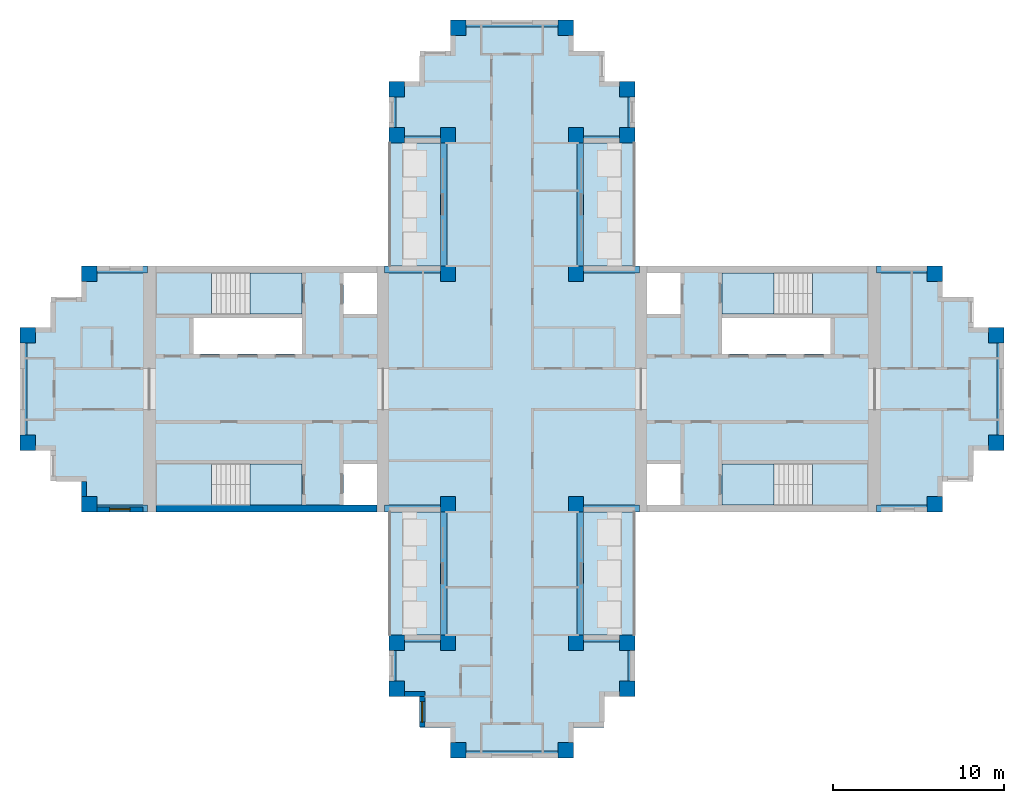
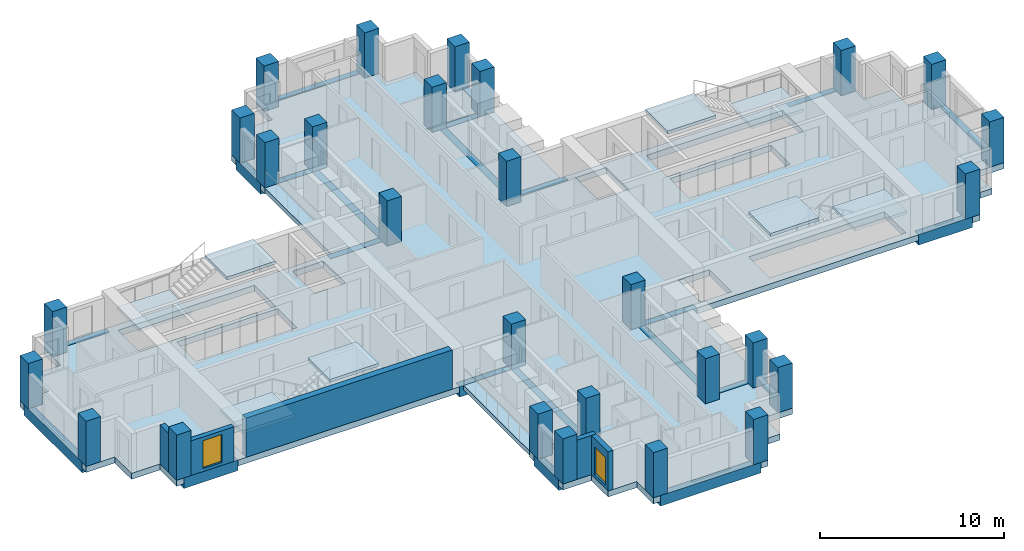
# One storey, part 1 of 9: 28 columns, 24 beams, 13 slabs, 5 walls, 2 windows, 2 openings, 4 elements without a shape of their own.
"""IFC4 building model written with IfcOpenShell, lengths in metres."""

import ifcopenshell
import ifcopenshell.guid

model = None  # the IFC model being written
_history = None  # IfcOwnerHistory: only IFC2X3 demands one
_inside = {}  # id of a spatial element -> (the spatial element, [elements in it])
_under = {}  # id of a project, library or spatial element -> (it, [spatial elements below it])
_declared = {}  # id of a project -> (the project, [libraries it declares])
_typed = {}  # id of a type object -> (the type object, [elements of that type])
_made_of = {}  # id of a material, layer set ... -> (it, [elements and type objects made of it])


def new_model(schema):
    """Start an empty IFC model of exactly this schema.

    Asked for "IFC4X3", IfcOpenShell would pick the latest addendum, in which some entities
    have other attributes; the version numbers below select the first issue.
    IFC2X3 requires an IfcOwnerHistory on every rooted entity: one is made here for all.
    """
    global model, _history
    if schema == "IFC4X3":
        model = ifcopenshell.file(schema_version=(4, 3, 0, 0))
    else:
        model = ifcopenshell.file(schema=schema)
    _inside.clear()
    _under.clear()
    _declared.clear()
    _typed.clear()
    _made_of.clear()
    _history = None
    if model.schema == "IFC2X3":
        org = make("IfcOrganization", Name="unknown")
        user = make(
            "IfcPersonAndOrganization",
            ThePerson=make("IfcPerson", FamilyName="unknown"),
            TheOrganization=org,
        )
        app = make(
            "IfcApplication",
            ApplicationDeveloper=org,
            Version="unknown",
            ApplicationFullName="unknown",
            ApplicationIdentifier="unknown",
        )
        _history = make(
            "IfcOwnerHistory",
            OwningUser=user,
            OwningApplication=app,
            ChangeAction="ADDED",
            CreationDate=0,
        )
    return model


def make(cls, **values):
    """One entity of the class cls with the attributes given. An attribute that is None is left unset."""
    return model.create_entity(
        cls, **{name: value for name, value in values.items() if value is not None}
    )


def rooted(cls, **values):
    """An entity with a GlobalId (a new one), such as an element, a storey or a relation."""
    return make(cls, GlobalId=ifcopenshell.guid.new(), OwnerHistory=_history, **values)


def si_unit(unit_type, name, prefix=None):
    """IfcSIUnit, for example si_unit("LENGTHUNIT", "METRE", prefix="MILLI")."""
    return make("IfcSIUnit", UnitType=unit_type, Prefix=prefix, Name=name)


def assignment(units):
    """IfcUnitAssignment: the units of a project."""
    return None if units is None else make("IfcUnitAssignment", Units=units)


def point(xyz):
    """IfcCartesianPoint."""
    return None if xyz is None else make("IfcCartesianPoint", Coordinates=xyz)


def direction(xyz):
    """IfcDirection."""
    return None if xyz is None else make("IfcDirection", DirectionRatios=xyz)


def frame(location, z_axis=None, x_axis=None):
    """IfcAxis2Placement3D, a coordinate frame: its origin and axes. An axis left out is left unset."""
    return make(
        "IfcAxis2Placement3D",
        Location=point(location),
        Axis=direction(z_axis),
        RefDirection=direction(x_axis),
    )


def frame_2d(location, x_axis=None):
    """IfcAxis2Placement2D, a coordinate frame in the plane: its origin and x axis."""
    return make(
        "IfcAxis2Placement2D", Location=point(location), RefDirection=direction(x_axis)
    )


def origin():
    """The frame at (0, 0, 0) with its axes left unset."""
    return frame((0.0, 0.0, 0.0))


def origin_2d():
    """The frame at (0, 0) in the plane with its x axis left unset."""
    return frame_2d((0.0, 0.0))


def place(relative_to, where):
    """IfcLocalPlacement: puts the frame where relative to a parent placement (None: the world)."""
    return make(
        "IfcLocalPlacement", PlacementRelTo=relative_to, RelativePlacement=where
    )


def context(
    kind, dimensions, precision=None, world=None, true_north=None, identifier=None
):
    """IfcGeometricRepresentationContext, for example the 3D "Model" context."""
    return make(
        "IfcGeometricRepresentationContext",
        ContextIdentifier=identifier,
        ContextType=kind,
        CoordinateSpaceDimension=dimensions,
        Precision=precision,
        WorldCoordinateSystem=world,
        TrueNorth=true_north,
    )


def subcontext(parent, identifier, kind, view, scale=None):
    """IfcGeometricRepresentationSubContext, for example "Body" below "Model"."""
    return make(
        "IfcGeometricRepresentationSubContext",
        ContextIdentifier=identifier,
        ContextType=kind,
        ParentContext=parent,
        TargetScale=scale,
        TargetView=view,
    )


def project(units=None, contexts=None):
    """IfcProject with its units and contexts."""
    return rooted(
        "IfcProject",
        Name="project",
        RepresentationContexts=contexts,
        UnitsInContext=assignment(units),
    )


def spatial(cls, under=None, at=None, **own):
    """A site, building, storey or space (cls), placed at a placement, below another one or the project."""
    s = rooted(cls, ObjectPlacement=at, **own)
    if under is not None:
        _under.setdefault(under.id(), (under, []))[1].append(s)
    return s


def polyline(points):
    """IfcPolyline through the points."""
    return make("IfcPolyline", Points=[point(p) for p in points])


def profile(cls, at=None, kind="AREA", **sizes):
    """A parametric profile (cls). Its sizes go by their IFC names, for example OverallWidth=200.0."""
    return make(cls, ProfileType=kind, Position=at, **sizes)


def rectangle(**sizes):
    """IfcRectangleProfileDef."""
    return profile("IfcRectangleProfileDef", **sizes)


def outline(outer, holes=None, kind="AREA"):
    """IfcArbitraryClosedProfileDef: a profile drawn as a closed curve; with holes, ...WithVoids."""
    if holes is None:
        return make("IfcArbitraryClosedProfileDef", ProfileType=kind, OuterCurve=outer)
    return make(
        "IfcArbitraryProfileDefWithVoids",
        ProfileType=kind,
        OuterCurve=outer,
        InnerCurves=holes,
    )


def extrude(swept, where, along, depth):
    """IfcExtrudedAreaSolid: the profile swept, set in the frame where, extruded along a direction by depth."""
    return make(
        "IfcExtrudedAreaSolid",
        SweptArea=swept,
        Position=where,
        ExtrudedDirection=direction(along),
        Depth=depth,
    )


def shape(context_of_items, identifier, shape_type, items):
    """IfcShapeRepresentation: the items that make up one representation, for example the "Body"."""
    return make(
        "IfcShapeRepresentation",
        ContextOfItems=context_of_items,
        RepresentationIdentifier=identifier,
        RepresentationType=shape_type,
        Items=items,
    )


def material(Name=None, Category=None):
    """IfcMaterial."""
    return make("IfcMaterial", Name=Name, Category=Category)


def layer(
    of_material, thickness, ventilated=None, Name=None, Category=None, Priority=None
):
    """IfcMaterialLayer: one layer of a wall or slab, of a material (None: an air gap)."""
    return make(
        "IfcMaterialLayer",
        Material=of_material,
        LayerThickness=thickness,
        IsVentilated=ventilated,
        Name=Name,
        Category=Category,
        Priority=Priority,
    )


def layer_set(layers, Name=None):
    """IfcMaterialLayerSet."""
    return make("IfcMaterialLayerSet", MaterialLayers=layers, LayerSetName=Name)


def material_profile(
    of_material, cross_section, Name=None, Category=None, Priority=None
):
    """IfcMaterialProfile: a cross section and its material."""
    return make(
        "IfcMaterialProfile",
        Name=Name,
        Material=of_material,
        Profile=cross_section,
        Priority=Priority,
        Category=Category,
    )


def profile_set(profiles, Name=None, composite=None):
    """IfcMaterialProfileSet."""
    return make(
        "IfcMaterialProfileSet",
        Name=Name,
        MaterialProfiles=profiles,
        CompositeProfile=composite,
    )


def made_of(thing, what):
    """Note that an element or type object is made of a material, layer set ...; save() writes the relation."""
    if what is not None:
        _made_of.setdefault(what.id(), (what, []))[1].append(thing)
    return thing


def type_object(cls, material=None, **own):
    """A type object (cls), such as IfcWallType, which elements share."""
    return made_of(rooted(cls, **own), material)


def element(
    cls,
    number,
    at=None,
    inside=None,
    cuts=None,
    type_object=None,
    material=None,
    context=None,
    identifier="Body",
    shape_type=None,
    held_by="IfcProductDefinitionShape",
    body=None,
    shapes=None,
    **own,
):
    """One element of the class cls, such as IfcWall. Its Tag is "e" and its number.

    at: its placement. inside: the storey or other place that contains it. cuts: it is an
    opening in that element (IfcRelVoidsElement). A single representation is given by context,
    identifier, shape_type and body (its items); several are given by shapes. held_by: the class
    of the entity that holds the representations. save() writes the other relations.
    """
    e = rooted(cls, Tag="e%d" % number, ObjectPlacement=at, **own)
    if body is not None:
        shapes = [shape(context, identifier, shape_type, body)]
    if shapes is not None:
        e.Representation = make(held_by, Representations=shapes)
    if inside is not None:
        _inside.setdefault(inside.id(), (inside, []))[1].append(e)
    if cuts is not None:
        rooted(
            "IfcRelVoidsElement", RelatingBuildingElement=cuts, RelatedOpeningElement=e
        )
    if type_object is not None:
        _typed.setdefault(type_object.id(), (type_object, []))[1].append(e)
    return made_of(e, material)


def fill(opening, filler):
    """IfcRelFillsElement: the door or window that sits in an opening."""
    return rooted(
        "IfcRelFillsElement",
        RelatingOpeningElement=opening,
        RelatedBuildingElement=filler,
    )


def aggregate(whole, parts):
    """IfcRelAggregates: a whole, such as a stair, and the parts it consists of."""
    return rooted("IfcRelAggregates", RelatingObject=whole, RelatedObjects=parts)


def save(model, path):
    """Write the relations noted so far, then the file.

    IfcRelAggregates (storeys below a building ...), IfcRelContainedInSpatialStructure (elements
    in a storey), IfcRelDefinesByType, IfcRelAssociatesMaterial and IfcRelDeclares: one each for
    every whole, place, type object, material and project.
    """
    for whole, parts in _under.values():
        aggregate(whole, parts)
    for where, things in _inside.values():
        rooted(
            "IfcRelContainedInSpatialStructure",
            RelatedElements=things,
            RelatingStructure=where,
        )
    for kind, things in _typed.values():
        rooted("IfcRelDefinesByType", RelatedObjects=things, RelatingType=kind)
    for what, things in _made_of.values():
        rooted("IfcRelAssociatesMaterial", RelatedObjects=things, RelatingMaterial=what)
    for by, libraries in _declared.values():
        rooted("IfcRelDeclares", RelatingContext=by, RelatedDefinitions=libraries)
    model.write(path)


model = new_model("IFC4")

# Units and contexts
model_context = context("Model", 3, precision=1e-05, world=origin(), true_north=direction((0.0, 1.0)))
body_context = subcontext(model_context, "Body", "Model", "MODEL_VIEW")
ifc_project = project(units=[si_unit("LENGTHUNIT", "METRE"), si_unit("AREAUNIT", "SQUARE_METRE"), si_unit("VOLUMEUNIT", "CUBIC_METRE"), si_unit("PLANEANGLEUNIT", "RADIAN"), si_unit("MASSUNIT", "GRAM", prefix="KILO")], contexts=[model_context])

# Site, building, storey
site_placement = place(None, origin())
site = spatial("IfcSite", under=ifc_project, at=site_placement, CompositionType="ELEMENT")
building_placement = place(site_placement, origin())
building = spatial("IfcBuilding", under=site, at=building_placement, Name="Fustian Cross Tower", CompositionType="ELEMENT")
storey_placement = place(building_placement, frame((0.0, 0.0, 219.89990234375)))
storey = spatial("IfcBuildingStorey", under=building, at=storey_placement, Name="L69", CompositionType="ELEMENT", Elevation=219.89990234375)

# Columns
ifc_material_1 = material(Name="Concrete C40/50", Category="concrete")
ifc_material_profile_1 = material_profile(ifc_material_1, rectangle(XDim=0.89990234375, YDim=0.89990234375, at=origin_2d()), Name="RC 900x900")
ifc_profile_set_1 = profile_set([ifc_material_profile_1], Name="Concrete C40/50")
column_type = type_object("IfcColumnType", Name="COLUMN RC 900x900 C40/50", PredefinedType="COLUMN", material=ifc_profile_set_1)
for number, where, z_axis, x_axis, name in (
    (1, (-28.35009765625, -3.14990234375, 0.0), (0.0, 0.0, 1.0), (1.0, 0.0, 0.0), "COLUMN 008"),
    (2, (-28.35009765625, 3.14990234375, 0.0), (0.0, 0.0, 1.0), (1.0, 0.0, 0.0), "COLUMN 009"),
    (3, (-24.75, -6.75, 0.0), (0.0, 0.0, 1.0), (1.0, 0.0, 0.0), "COLUMN 011"),
    (4, (-24.75, 6.75, 0.0), (0.0, 0.0, 1.0), (1.0, 0.0, 0.0), "COLUMN 012"),
    (5, (-6.75, -17.550048828125, 0.0), (0.0, 0.0, 1.0), (1.0, 0.0, 0.0), "COLUMN 017"),
    (6, (-6.75, -14.85009765625, 0.0), (0.0, 0.0, 1.0), (1.0, 0.0, 0.0), "COLUMN 018"),
    (7, (-6.75, 14.85009765625, 0.0), (0.0, 0.0, 1.0), (1.0, 0.0, 0.0), "COLUMN 019"),
    (8, (-6.75, 17.550048828125, 0.0), (0.0, 0.0, 1.0), (1.0, 0.0, 0.0), "COLUMN 020"),
    (9, (-3.75, -14.85009765625, 0.0), (0.0, 0.0, 1.0), (1.0, 0.0, 0.0), "COLUMN 025"),
    (10, (-3.75, -6.75, 0.0), (0.0, 0.0, 1.0), (1.0, 0.0, 0.0), "COLUMN 026"),
    (11, (-3.75, 6.75, 0.0), (0.0, 0.0, 1.0), (1.0, 0.0, 0.0), "COLUMN 027"),
    (12, (-3.75, 14.85009765625, 0.0), (0.0, 0.0, 1.0), (1.0, 0.0, 0.0), "COLUMN 028"),
    (13, (-3.14990234375, -21.14990234375, 0.0), (0.0, 0.0, 1.0), (1.0, 0.0, 0.0), "COLUMN 030"),
    (14, (-3.14990234375, 21.14990234375, 0.0), (0.0, 0.0, 1.0), (1.0, 0.0, 0.0), "COLUMN 031"),
    (15, (3.14990234375, -21.14990234375, 0.0), (0.0, 0.0, 1.0), (1.0, 0.0, 0.0), "COLUMN 034"),
    (16, (3.14990234375, 21.14990234375, 0.0), (0.0, 0.0, 1.0), (1.0, 0.0, 0.0), "COLUMN 035"),
    (17, (3.75, -14.85009765625, 0.0), (0.0, 0.0, 1.0), (1.0, 0.0, 0.0), "COLUMN 037"),
    (18, (3.75, -6.75, 0.0), (0.0, 0.0, 1.0), (1.0, 0.0, 0.0), "COLUMN 038"),
    (19, (3.75, 6.75, 0.0), (0.0, 0.0, 1.0), (1.0, 0.0, 0.0), "COLUMN 039"),
    (20, (3.75, 14.85009765625, 0.0), (0.0, 0.0, 1.0), (1.0, 0.0, 0.0), "COLUMN 040"),
    (21, (6.75, -17.550048828125, 0.0), (0.0, 0.0, 1.0), (1.0, 0.0, 0.0), "COLUMN 045"),
    (22, (6.75, -14.85009765625, 0.0), (0.0, 0.0, 1.0), (1.0, 0.0, 0.0), "COLUMN 046"),
    (23, (6.75, 14.85009765625, 0.0), (0.0, 0.0, 1.0), (1.0, 0.0, 0.0), "COLUMN 047"),
    (24, (6.75, 17.550048828125, 0.0), (0.0, 0.0, 1.0), (1.0, 0.0, 0.0), "COLUMN 048"),
    (25, (24.75, -6.75, 0.0), (0.0, 0.0, 1.0), (1.0, 0.0, 0.0), "COLUMN 053"),
    (26, (24.75, 6.75, 0.0), (0.0, 0.0, 1.0), (1.0, 0.0, 0.0), "COLUMN 054"),
    (27, (28.35009765625, -3.14990234375, 0.0), (0.0, 0.0, 1.0), (1.0, 0.0, 0.0), "COLUMN 056"),
    (28, (28.35009765625, 3.14990234375, 0.0), (0.0, 0.0, 1.0), (1.0, 0.0, 0.0), "COLUMN 057"),
):
    element("IfcColumn", number, at=place(storey_placement, frame(where, z_axis=z_axis, x_axis=x_axis)), inside=storey, type_object=column_type, Name=name, PredefinedType="COLUMN", context=body_context, shape_type="SweptSolid", body=[
        extrude(rectangle(XDim=0.89990234375, YDim=0.89990234375, at=origin_2d()), origin(), (0.0, 0.0, 1.0), 3.0),
    ])

# Beams
ifc_material_2 = material(Name="Concrete C50/60", Category="concrete")
ifc_material_profile_2 = material_profile(ifc_material_2, rectangle(XDim=0.39990234375, YDim=0.699951171875, at=origin_2d()), Name="RC 400x700")
ifc_profile_set_2 = profile_set([ifc_material_profile_2], Name="Concrete C50/60")
beam_type = type_object("IfcBeamType", Name="EDGE BEAM RC 400x700 C50/60", PredefinedType="SPANDREL", material=ifc_profile_set_2)
beam_1_placement = place(storey_placement, frame((21.35009765625, -7.0, -0.349853515625), z_axis=(1.0, 0.0, 0.0), x_axis=(0.0, 1.0, 0.0)))
element("IfcBeam", 29, at=beam_1_placement, inside=storey, type_object=beam_type, Name="EDGE BEAM L69-01", PredefinedType="SPANDREL", context=body_context, shape_type="SweptSolid", body=[
    extrude(rectangle(XDim=0.39990234375, YDim=0.699951171875, at=origin_2d()), origin(), (0.0, 0.0, 1.0), 3.39990234375),
])
beam_2_placement = place(storey_placement, frame((28.60009765625, -3.14990234375, -0.349853515625), z_axis=(0.0, 1.0, 0.0), x_axis=(-1.0, 0.0, 0.0)))
element("IfcBeam", 30, at=beam_2_placement, inside=storey, type_object=beam_type, Name="EDGE BEAM L69-02", PredefinedType="SPANDREL", context=body_context, shape_type="SweptSolid", body=[
    extrude(rectangle(XDim=0.39990234375, YDim=0.699951171875, at=origin_2d()), origin(), (0.0, 0.0, 1.0), 6.2998046875),
])
beam_3_placement = place(storey_placement, frame((24.75, 7.0, -0.349853515625), z_axis=(-1.0, 0.0, 0.0), x_axis=(0.0, -1.0, 0.0)))
element("IfcBeam", 31, at=beam_3_placement, inside=storey, type_object=beam_type, Name="EDGE BEAM L69-03", PredefinedType="SPANDREL", context=body_context, shape_type="SweptSolid", body=[
    extrude(rectangle(XDim=0.39990234375, YDim=0.699951171875, at=origin_2d()), origin(), (0.0, 0.0, 1.0), 3.39990234375),
])
beam_4_placement = place(storey_placement, frame((7.449951171875, 7.0, -0.349853515625), z_axis=(-1.0, 0.0, 0.0), x_axis=(0.0, -1.0, 0.0)))
element("IfcBeam", 32, at=beam_4_placement, inside=storey, type_object=beam_type, Name="EDGE BEAM L69-04", PredefinedType="SPANDREL", context=body_context, shape_type="SweptSolid", body=[
    extrude(rectangle(XDim=0.39990234375, YDim=0.699951171875, at=origin_2d()), origin(), (0.0, 0.0, 1.0), 3.699951171875),
])
beam_5_placement = place(storey_placement, frame((4.0, 6.75, -0.349853515625), z_axis=(0.0, 1.0, 0.0), x_axis=(-1.0, 0.0, 0.0)))
element("IfcBeam", 33, at=beam_5_placement, inside=storey, type_object=beam_type, Name="EDGE BEAM L69-05", PredefinedType="SPANDREL", context=body_context, shape_type="SweptSolid", body=[
    extrude(rectangle(XDim=0.39990234375, YDim=0.699951171875, at=origin_2d()), origin(), (0.0, 0.0, 1.0), 8.10009765625),
])
beam_6_placement = place(storey_placement, frame((3.75, 14.60009765625, -0.349853515625), z_axis=(1.0, 0.0, 0.0), x_axis=(0.0, 1.0, 0.0)))
element("IfcBeam", 34, at=beam_6_placement, inside=storey, type_object=beam_type, Name="EDGE BEAM L69-06", PredefinedType="SPANDREL", context=body_context, shape_type="SweptSolid", body=[
    extrude(rectangle(XDim=0.39990234375, YDim=0.699951171875, at=origin_2d()), origin(), (0.0, 0.0, 1.0), 3.0),
])
beam_7_placement = place(storey_placement, frame((7.0, 14.85009765625, -0.349853515625), z_axis=(0.0, 1.0, 0.0), x_axis=(-1.0, 0.0, 0.0)))
element("IfcBeam", 35, at=beam_7_placement, inside=storey, type_object=beam_type, Name="EDGE BEAM L69-07", PredefinedType="SPANDREL", context=body_context, shape_type="SweptSolid", body=[
    extrude(rectangle(XDim=0.39990234375, YDim=0.699951171875, at=origin_2d()), origin(), (0.0, 0.0, 1.0), 2.699951171875),
])
beam_8_placement = place(storey_placement, frame((3.14990234375, 21.39990234375, -0.349853515625), z_axis=(-1.0, 0.0, 0.0), x_axis=(0.0, -1.0, 0.0)))
element("IfcBeam", 36, at=beam_8_placement, inside=storey, type_object=beam_type, Name="EDGE BEAM L69-08", PredefinedType="SPANDREL", context=body_context, shape_type="SweptSolid", body=[
    extrude(rectangle(XDim=0.39990234375, YDim=0.699951171875, at=origin_2d()), origin(), (0.0, 0.0, 1.0), 6.2998046875),
])
beam_9_placement = place(storey_placement, frame((-7.0, 17.550048828125, -0.349853515625), z_axis=(0.0, -1.0, 0.0), x_axis=(1.0, 0.0, 0.0)))
element("IfcBeam", 37, at=beam_9_placement, inside=storey, type_object=beam_type, Name="EDGE BEAM L69-09", PredefinedType="SPANDREL", context=body_context, shape_type="SweptSolid", body=[
    extrude(rectangle(XDim=0.39990234375, YDim=0.699951171875, at=origin_2d()), origin(), (0.0, 0.0, 1.0), 2.699951171875),
])
beam_10_placement = place(storey_placement, frame((-6.75, 14.60009765625, -0.349853515625), z_axis=(1.0, 0.0, 0.0), x_axis=(0.0, 1.0, 0.0)))
element("IfcBeam", 38, at=beam_10_placement, inside=storey, type_object=beam_type, Name="EDGE BEAM L69-10", PredefinedType="SPANDREL", context=body_context, shape_type="SweptSolid", body=[
    extrude(rectangle(XDim=0.39990234375, YDim=0.699951171875, at=origin_2d()), origin(), (0.0, 0.0, 1.0), 3.0),
])
beam_11_placement = place(storey_placement, frame((-4.0, 14.85009765625, -0.349853515625), z_axis=(0.0, -1.0, 0.0), x_axis=(1.0, 0.0, 0.0)))
element("IfcBeam", 39, at=beam_11_placement, inside=storey, type_object=beam_type, Name="EDGE BEAM L69-11", PredefinedType="SPANDREL", context=body_context, shape_type="SweptSolid", body=[
    extrude(rectangle(XDim=0.39990234375, YDim=0.699951171875, at=origin_2d()), origin(), (0.0, 0.0, 1.0), 8.10009765625),
])
beam_12_placement = place(storey_placement, frame((-3.75, 7.0, -0.349853515625), z_axis=(-1.0, 0.0, 0.0), x_axis=(0.0, -1.0, 0.0)))
element("IfcBeam", 40, at=beam_12_placement, inside=storey, type_object=beam_type, Name="EDGE BEAM L69-12", PredefinedType="SPANDREL", context=body_context, shape_type="SweptSolid", body=[
    extrude(rectangle(XDim=0.39990234375, YDim=0.699951171875, at=origin_2d()), origin(), (0.0, 0.0, 1.0), 3.699951171875),
])
beam_13_placement = place(storey_placement, frame((-21.35009765625, 7.0, -0.349853515625), z_axis=(-1.0, 0.0, 0.0), x_axis=(0.0, -1.0, 0.0)))
element("IfcBeam", 41, at=beam_13_placement, inside=storey, type_object=beam_type, Name="EDGE BEAM L69-13", PredefinedType="SPANDREL", context=body_context, shape_type="SweptSolid", body=[
    extrude(rectangle(XDim=0.39990234375, YDim=0.699951171875, at=origin_2d()), origin(), (0.0, 0.0, 1.0), 3.39990234375),
])
beam_14_placement = place(storey_placement, frame((-28.60009765625, 3.14990234375, -0.349853515625), z_axis=(0.0, -1.0, 0.0), x_axis=(1.0, 0.0, 0.0)))
element("IfcBeam", 42, at=beam_14_placement, inside=storey, type_object=beam_type, Name="EDGE BEAM L69-14", PredefinedType="SPANDREL", context=body_context, shape_type="SweptSolid", body=[
    extrude(rectangle(XDim=0.39990234375, YDim=0.699951171875, at=origin_2d()), origin(), (0.0, 0.0, 1.0), 6.2998046875),
])
beam_15_placement = place(storey_placement, frame((-24.75, -7.0, -0.349853515625), z_axis=(1.0, 0.0, 0.0), x_axis=(0.0, 1.0, 0.0)))
element("IfcBeam", 43, at=beam_15_placement, inside=storey, type_object=beam_type, Name="EDGE BEAM L69-15", PredefinedType="SPANDREL", context=body_context, shape_type="SweptSolid", body=[
    extrude(rectangle(XDim=0.39990234375, YDim=0.699951171875, at=origin_2d()), origin(), (0.0, 0.0, 1.0), 3.39990234375),
])
beam_16_placement = place(storey_placement, frame((-7.449951171875, -7.0, -0.349853515625), z_axis=(1.0, 0.0, 0.0), x_axis=(0.0, 1.0, 0.0)))
element("IfcBeam", 44, at=beam_16_placement, inside=storey, type_object=beam_type, Name="EDGE BEAM L69-16", PredefinedType="SPANDREL", context=body_context, shape_type="SweptSolid", body=[
    extrude(rectangle(XDim=0.39990234375, YDim=0.699951171875, at=origin_2d()), origin(), (0.0, 0.0, 1.0), 3.699951171875),
])
beam_17_placement = place(storey_placement, frame((-4.0, -6.75, -0.349853515625), z_axis=(0.0, -1.0, 0.0), x_axis=(1.0, 0.0, 0.0)))
element("IfcBeam", 45, at=beam_17_placement, inside=storey, type_object=beam_type, Name="EDGE BEAM L69-17", PredefinedType="SPANDREL", context=body_context, shape_type="SweptSolid", body=[
    extrude(rectangle(XDim=0.39990234375, YDim=0.699951171875, at=origin_2d()), origin(), (0.0, 0.0, 1.0), 8.10009765625),
])
beam_18_placement = place(storey_placement, frame((-3.75, -14.60009765625, -0.349853515625), z_axis=(-1.0, 0.0, 0.0), x_axis=(0.0, -1.0, 0.0)))
element("IfcBeam", 46, at=beam_18_placement, inside=storey, type_object=beam_type, Name="EDGE BEAM L69-18", PredefinedType="SPANDREL", context=body_context, shape_type="SweptSolid", body=[
    extrude(rectangle(XDim=0.39990234375, YDim=0.699951171875, at=origin_2d()), origin(), (0.0, 0.0, 1.0), 3.0),
])
beam_19_placement = place(storey_placement, frame((-7.0, -14.85009765625, -0.349853515625), z_axis=(0.0, -1.0, 0.0), x_axis=(1.0, 0.0, 0.0)))
element("IfcBeam", 47, at=beam_19_placement, inside=storey, type_object=beam_type, Name="EDGE BEAM L69-19", PredefinedType="SPANDREL", context=body_context, shape_type="SweptSolid", body=[
    extrude(rectangle(XDim=0.39990234375, YDim=0.699951171875, at=origin_2d()), origin(), (0.0, 0.0, 1.0), 2.699951171875),
])
beam_20_placement = place(storey_placement, frame((-3.14990234375, -21.39990234375, -0.349853515625), z_axis=(1.0, 0.0, 0.0), x_axis=(0.0, 1.0, 0.0)))
element("IfcBeam", 48, at=beam_20_placement, inside=storey, type_object=beam_type, Name="EDGE BEAM L69-20", PredefinedType="SPANDREL", context=body_context, shape_type="SweptSolid", body=[
    extrude(rectangle(XDim=0.39990234375, YDim=0.699951171875, at=origin_2d()), origin(), (0.0, 0.0, 1.0), 6.2998046875),
])
beam_21_placement = place(storey_placement, frame((7.0, -17.550048828125, -0.349853515625), z_axis=(0.0, 1.0, 0.0), x_axis=(-1.0, 0.0, 0.0)))
element("IfcBeam", 49, at=beam_21_placement, inside=storey, type_object=beam_type, Name="EDGE BEAM L69-21", PredefinedType="SPANDREL", context=body_context, shape_type="SweptSolid", body=[
    extrude(rectangle(XDim=0.39990234375, YDim=0.699951171875, at=origin_2d()), origin(), (0.0, 0.0, 1.0), 2.699951171875),
])
beam_22_placement = place(storey_placement, frame((6.75, -14.60009765625, -0.349853515625), z_axis=(-1.0, 0.0, 0.0), x_axis=(0.0, -1.0, 0.0)))
element("IfcBeam", 50, at=beam_22_placement, inside=storey, type_object=beam_type, Name="EDGE BEAM L69-22", PredefinedType="SPANDREL", context=body_context, shape_type="SweptSolid", body=[
    extrude(rectangle(XDim=0.39990234375, YDim=0.699951171875, at=origin_2d()), origin(), (0.0, 0.0, 1.0), 3.0),
])
beam_23_placement = place(storey_placement, frame((4.0, -14.85009765625, -0.349853515625), z_axis=(0.0, 1.0, 0.0), x_axis=(-1.0, 0.0, 0.0)))
element("IfcBeam", 51, at=beam_23_placement, inside=storey, type_object=beam_type, Name="EDGE BEAM L69-23", PredefinedType="SPANDREL", context=body_context, shape_type="SweptSolid", body=[
    extrude(rectangle(XDim=0.39990234375, YDim=0.699951171875, at=origin_2d()), origin(), (0.0, 0.0, 1.0), 8.10009765625),
])
beam_24_placement = place(storey_placement, frame((3.75, -7.0, -0.349853515625), z_axis=(1.0, 0.0, 0.0), x_axis=(0.0, 1.0, 0.0)))
element("IfcBeam", 52, at=beam_24_placement, inside=storey, type_object=beam_type, Name="EDGE BEAM L69-24", PredefinedType="SPANDREL", context=body_context, shape_type="SweptSolid", body=[
    extrude(rectangle(XDim=0.39990234375, YDim=0.699951171875, at=origin_2d()), origin(), (0.0, 0.0, 1.0), 3.699951171875),
])

# Slabs
ifc_material_3 = material(Name="Concrete C40/50", Category="concrete")
ifc_layer_1 = layer(ifc_material_3, 0.300048828125)
ifc_layer_set_1 = layer_set([ifc_layer_1], Name="Concrete C40/50")
slab_type_1 = type_object("IfcSlabType", Name="BS1 BALCONY SLAB 300", PredefinedType="FLOOR", material=ifc_layer_set_1)
slab_1_placement = place(storey_placement, frame((0.0, 0.0, -0.2998046875)))
element("IfcSlab", 53, at=slab_1_placement, inside=storey, type_object=slab_type_1, Name="Balcony slab", PredefinedType="FLOOR", context=body_context, shape_type="SweptSolid", body=[
    extrude(outline(polyline([(4.199951171875, 7.199951171875), (7.199951171875, 7.199951171875), (7.199951171875, 14.39990234375), (4.199951171875, 14.39990234375), (4.199951171875, 7.199951171875)])), origin(), (0.0, 0.0, 1.0), 0.2998046875),
])
slab_2_placement = place(storey_placement, frame((0.0, 0.0, -0.2998046875)))
element("IfcSlab", 54, at=slab_2_placement, inside=storey, type_object=slab_type_1, Name="Balcony slab", PredefinedType="FLOOR", context=body_context, shape_type="SweptSolid", body=[
    extrude(outline(polyline([(-7.199951171875, 7.199951171875), (-4.199951171875, 7.199951171875), (-4.199951171875, 14.39990234375), (-7.199951171875, 14.39990234375), (-7.199951171875, 7.199951171875)])), origin(), (0.0, 0.0, 1.0), 0.2998046875),
])
slab_3_placement = place(storey_placement, frame((0.0, 0.0, -0.2998046875)))
element("IfcSlab", 55, at=slab_3_placement, inside=storey, type_object=slab_type_1, Name="Balcony slab", PredefinedType="FLOOR", context=body_context, shape_type="SweptSolid", body=[
    extrude(outline(polyline([(4.199951171875, -14.39990234375), (7.199951171875, -14.39990234375), (7.199951171875, -7.199951171875), (4.199951171875, -7.199951171875), (4.199951171875, -14.39990234375)])), origin(), (0.0, 0.0, 1.0), 0.2998046875),
])
slab_4_placement = place(storey_placement, frame((0.0, 0.0, -0.2998046875)))
element("IfcSlab", 56, at=slab_4_placement, inside=storey, type_object=slab_type_1, Name="Balcony slab", PredefinedType="FLOOR", context=body_context, shape_type="SweptSolid", body=[
    extrude(outline(polyline([(-7.199951171875, -14.39990234375), (-4.199951171875, -14.39990234375), (-4.199951171875, -7.199951171875), (-7.199951171875, -7.199951171875), (-7.199951171875, -14.39990234375)])), origin(), (0.0, 0.0, 1.0), 0.2998046875),
])
ifc_material_4 = material(Name="Concrete C40/50", Category="concrete")
ifc_layer_2 = layer(ifc_material_4, 0.39990234375)
ifc_layer_set_2 = layer_set([ifc_layer_2], Name="Concrete C40/50")
slab_type_2 = type_object("IfcSlabType", Name="FLAT SLAB 400", PredefinedType="FLOOR", material=ifc_layer_set_2)
slab_5_placement = place(storey_placement, frame((0.0, 0.0, -0.39990234375)))
element("IfcSlab", 57, at=slab_5_placement, inside=storey, type_object=slab_type_2, Name="FLOOR SLAB L69-1", PredefinedType="FLOOR", context=body_context, shape_type="SweptSolid", body=[
    extrude(outline(polyline([(-3.60009765625, -19.800048828125), (-5.39990234375, -19.800048828125), (-5.39990234375, -18.0), (-7.199951171875, -18.0), (-7.199951171875, -14.39990234375), (-4.199951171875, -14.39990234375), (-4.199951171875, -7.199951171875), (-25.199951171875, -7.199951171875), (-25.199951171875, -5.39990234375), (-27.0, -5.39990234375), (-27.0, -3.60009765625), (-28.800048828125, -3.60009765625), (-28.800048828125, 3.60009765625), (-27.0, 3.60009765625), (-27.0, 5.39990234375), (-25.199951171875, 5.39990234375), (-25.199951171875, 7.199951171875), (-4.199951171875, 7.199951171875), (-4.199951171875, 14.39990234375), (-7.199951171875, 14.39990234375), (-7.199951171875, 18.0), (-5.39990234375, 18.0), (-5.39990234375, 19.800048828125), (-3.60009765625, 19.800048828125), (-3.60009765625, 21.60009765625), (3.60009765625, 21.60009765625), (3.60009765625, 19.800048828125), (5.39990234375, 19.800048828125), (5.39990234375, 18.0), (7.199951171875, 18.0), (7.199951171875, 14.39990234375), (4.199951171875, 14.39990234375), (4.199951171875, 7.199951171875), (25.199951171875, 7.199951171875), (25.199951171875, 5.39990234375), (27.0, 5.39990234375), (27.0, 3.60009765625), (28.800048828125, 3.60009765625), (28.800048828125, -3.60009765625), (27.0, -3.60009765625), (27.0, -5.39990234375), (25.199951171875, -5.39990234375), (25.199951171875, -7.199951171875), (4.199951171875, -7.199951171875), (4.199951171875, -14.39990234375), (7.199951171875, -14.39990234375), (7.199951171875, -18.0), (5.39990234375, -18.0), (5.39990234375, -19.800048828125), (3.60009765625, -19.800048828125), (3.60009765625, -21.60009765625), (-3.60009765625, -21.60009765625), (-3.60009765625, -19.800048828125)]), holes=[polyline([(7.89990234375, 6.800048828125), (7.89990234375, 4.39990234375), (9.85009765625, 4.39990234375), (9.85009765625, 6.800048828125), (7.89990234375, 6.800048828125)]), polyline([(9.85009765625, -4.39990234375), (7.89990234375, -4.39990234375), (7.89990234375, -6.800048828125), (9.85009765625, -6.800048828125), (9.85009765625, -4.39990234375)]), polyline([(-7.89990234375, 4.39990234375), (-7.89990234375, 6.800048828125), (-9.85009765625, 6.800048828125), (-9.85009765625, 4.39990234375), (-7.89990234375, 4.39990234375)]), polyline([(-9.85009765625, -6.800048828125), (-7.89990234375, -6.800048828125), (-7.89990234375, -4.39990234375), (-9.85009765625, -4.39990234375), (-9.85009765625, -6.800048828125)]), polyline([(12.300048828125, 4.14990234375), (12.300048828125, 2.050048828125), (18.64990234375, 2.050048828125), (18.64990234375, 4.14990234375), (12.300048828125, 4.14990234375)]), polyline([(-12.300048828125, 4.14990234375), (-18.64990234375, 4.14990234375), (-18.64990234375, 2.050048828125), (-12.300048828125, 2.050048828125), (-12.300048828125, 4.14990234375)]), polyline([(20.85009765625, 4.39990234375), (20.85009765625, 6.699951171875), (12.300048828125, 6.699951171875), (12.300048828125, 4.39990234375), (20.85009765625, 4.39990234375)]), polyline([(12.300048828125, -6.699951171875), (20.85009765625, -6.699951171875), (20.85009765625, -4.39990234375), (12.300048828125, -4.39990234375), (12.300048828125, -6.699951171875)]), polyline([(-20.85009765625, 6.699951171875), (-20.85009765625, 4.39990234375), (-12.300048828125, 4.39990234375), (-12.300048828125, 6.699951171875), (-20.85009765625, 6.699951171875)]), polyline([(-12.300048828125, -4.39990234375), (-20.85009765625, -4.39990234375), (-20.85009765625, -6.699951171875), (-12.300048828125, -6.699951171875), (-12.300048828125, -4.39990234375)])]), origin(), (0.0, 0.0, 1.0), 0.39990234375),
])

# Stair, slabs
ifc_material_5 = material(Name="Concrete C50/60", Category="concrete")
stair_type = type_object("IfcStairType", Name="STAIR 1200 HALF TURN", PredefinedType="HALF_TURN_STAIR", material=ifc_material_5)
stair_1_placement = place(storey_placement, origin())
stair_1 = element("IfcStair", 58, at=stair_1_placement, inside=storey, type_object=stair_type, Name="Stair ST1", PredefinedType="HALF_TURN_STAIR")
ifc_material_6 = material(Name="Concrete C50/60", Category="concrete")
ifc_layer_3 = layer(ifc_material_6, 0.199951171875)
ifc_layer_set_3 = layer_set([ifc_layer_3], Name="Concrete C50/60")
slab_type_3 = type_object("IfcSlabType", Name="STAIR LANDING", PredefinedType="LANDING", material=ifc_layer_set_3)
slab_6_placement = place(storey_placement, frame((0.0, 0.0, 1.300048828125)))
slab_6 = element("IfcSlab", 59, at=slab_6_placement, type_object=slab_type_3, Name="ST1 landing 1", PredefinedType="LANDING", context=body_context, shape_type="SweptSolid", body=[
    extrude(outline(polyline([(17.590087890625, 4.39990234375), (20.85009765625, 4.39990234375), (20.85009765625, 6.800048828125), (17.590087890625, 6.800048828125), (17.590087890625, 4.39990234375)])), origin(), (0.0, 0.0, 1.0), 0.199951171875),
])
slab_7_placement = place(storey_placement, frame((0.0, 0.0, 2.800048828125)))
slab_7 = element("IfcSlab", 60, at=slab_7_placement, type_object=slab_type_3, Name="ST1 landing 2", PredefinedType="LANDING", context=body_context, shape_type="SweptSolid", body=[
    extrude(outline(polyline([(12.300048828125, 4.39990234375), (15.35009765625, 4.39990234375), (15.35009765625, 6.800048828125), (12.300048828125, 6.800048828125), (12.300048828125, 4.39990234375)])), origin(), (0.0, 0.0, 1.0), 0.199951171875),
])
aggregate(stair_1, [slab_6, slab_7])

stair_2_placement = place(storey_placement, origin())
stair_2 = element("IfcStair", 61, at=stair_2_placement, inside=storey, type_object=stair_type, Name="Stair ST2", PredefinedType="HALF_TURN_STAIR")
slab_8_placement = place(storey_placement, frame((0.0, 0.0, 1.300048828125)))
slab_8 = element("IfcSlab", 62, at=slab_8_placement, type_object=slab_type_3, Name="ST2 landing 1", PredefinedType="LANDING", context=body_context, shape_type="SweptSolid", body=[
    extrude(outline(polyline([(17.590087890625, -4.39990234375), (20.85009765625, -4.39990234375), (20.85009765625, -6.800048828125), (17.590087890625, -6.800048828125), (17.590087890625, -4.39990234375)])), origin(), (0.0, 0.0, 1.0), 0.199951171875),
])
slab_9_placement = place(storey_placement, frame((0.0, 0.0, 2.800048828125)))
slab_9 = element("IfcSlab", 63, at=slab_9_placement, type_object=slab_type_3, Name="ST2 landing 2", PredefinedType="LANDING", context=body_context, shape_type="SweptSolid", body=[
    extrude(outline(polyline([(12.300048828125, -4.39990234375), (15.35009765625, -4.39990234375), (15.35009765625, -6.800048828125), (12.300048828125, -6.800048828125), (12.300048828125, -4.39990234375)])), origin(), (0.0, 0.0, 1.0), 0.199951171875),
])
aggregate(stair_2, [slab_8, slab_9])

stair_3_placement = place(storey_placement, origin())
stair_3 = element("IfcStair", 64, at=stair_3_placement, inside=storey, type_object=stair_type, Name="Stair ST3", PredefinedType="HALF_TURN_STAIR")
slab_10_placement = place(storey_placement, frame((0.0, 0.0, 1.300048828125)))
slab_10 = element("IfcSlab", 65, at=slab_10_placement, type_object=slab_type_3, Name="ST3 landing 1", PredefinedType="LANDING", context=body_context, shape_type="SweptSolid", body=[
    extrude(outline(polyline([(-17.590087890625, 4.39990234375), (-20.85009765625, 4.39990234375), (-20.85009765625, 6.800048828125), (-17.590087890625, 6.800048828125), (-17.590087890625, 4.39990234375)])), origin(), (0.0, 0.0, 1.0), 0.199951171875),
])
slab_11_placement = place(storey_placement, frame((0.0, 0.0, 2.800048828125)))
slab_11 = element("IfcSlab", 66, at=slab_11_placement, type_object=slab_type_3, Name="ST3 landing 2", PredefinedType="LANDING", context=body_context, shape_type="SweptSolid", body=[
    extrude(outline(polyline([(-12.300048828125, 4.39990234375), (-15.35009765625, 4.39990234375), (-15.35009765625, 6.800048828125), (-12.300048828125, 6.800048828125), (-12.300048828125, 4.39990234375)])), origin(), (0.0, 0.0, 1.0), 0.199951171875),
])
aggregate(stair_3, [slab_10, slab_11])

stair_4_placement = place(storey_placement, origin())
stair_4 = element("IfcStair", 67, at=stair_4_placement, inside=storey, type_object=stair_type, Name="Stair ST4", PredefinedType="HALF_TURN_STAIR")
slab_12_placement = place(storey_placement, frame((0.0, 0.0, 1.300048828125)))
slab_12 = element("IfcSlab", 68, at=slab_12_placement, type_object=slab_type_3, Name="ST4 landing 1", PredefinedType="LANDING", context=body_context, shape_type="SweptSolid", body=[
    extrude(outline(polyline([(-17.590087890625, -4.39990234375), (-20.85009765625, -4.39990234375), (-20.85009765625, -6.800048828125), (-17.590087890625, -6.800048828125), (-17.590087890625, -4.39990234375)])), origin(), (0.0, 0.0, 1.0), 0.199951171875),
])
slab_13_placement = place(storey_placement, frame((0.0, 0.0, 2.800048828125)))
slab_13 = element("IfcSlab", 69, at=slab_13_placement, type_object=slab_type_3, Name="ST4 landing 2", PredefinedType="LANDING", context=body_context, shape_type="SweptSolid", body=[
    extrude(outline(polyline([(-12.300048828125, -4.39990234375), (-15.35009765625, -4.39990234375), (-15.35009765625, -6.800048828125), (-12.300048828125, -6.800048828125), (-12.300048828125, -4.39990234375)])), origin(), (0.0, 0.0, 1.0), 0.199951171875),
])
aggregate(stair_4, [slab_12, slab_13])

# Walls
ifc_material_7 = material(Name="Concrete C50/60", Category="concrete")
ifc_layer_4 = layer(ifc_material_7, 0.39990234375)
ifc_layer_set_4 = layer_set([ifc_layer_4], Name="Concrete C50/60")
wall_type_1 = type_object("IfcWallType", Name="CORE FACADE WALL 400 C50/60", PredefinedType="SHEAR", material=ifc_layer_set_4)
wall_1_placement = place(storey_placement, frame((-7.89990234375, -7.0, 0.0), z_axis=(0.0, 0.0, 1.0), x_axis=(-1.0, 0.0, 0.0)))
element("IfcWall", 70, at=wall_1_placement, inside=storey, type_object=wall_type_1, Name="Core facade wall", PredefinedType="SHEAR", context=body_context, shape_type="SweptSolid", body=[
    extrude(rectangle(XDim=12.9501953125, YDim=0.39990234375, at=frame_2d((6.47509765625, 0.0))), origin(), (0.0, 0.0, 1.0), 2.60009765625),
])
ifc_material_8 = material(Name="Dark aluminium cladding on insulated backing wall", Category="aluminium")
ifc_layer_5 = layer(ifc_material_8, 0.300048828125)
ifc_layer_set_5 = layer_set([ifc_layer_5], Name="Dark aluminium cladding on insulated backing wall")
wall_type_2 = type_object("IfcWallType", Name="XW1 EXTERNAL WALL 300", PredefinedType="SOLIDWALL", material=ifc_layer_set_5)
wall_2_placement = place(storey_placement, frame((-25.050048828125, -5.39990234375, 0.0), z_axis=(0.0, 0.0, 1.0), x_axis=(0.0, -1.0, 0.0)))
element("IfcWall", 71, at=wall_2_placement, inside=storey, type_object=wall_type_2, Name="External wall", PredefinedType="SOLIDWALL", context=body_context, shape_type="SweptSolid", body=[
    extrude(rectangle(XDim=0.900146484375, YDim=0.300048828125, at=frame_2d((0.4501953125, 0.0))), origin(), (0.0, 0.0, 1.0), 2.60009765625),
])

# Wall, opening, window
wall_3_placement = place(storey_placement, frame((-24.300048828125, -7.050048828125, 0.0), z_axis=(0.0, 0.0, 1.0), x_axis=(1.0, 0.0, 0.0)))
wall_3 = element("IfcWall", 72, at=wall_3_placement, inside=storey, type_object=wall_type_2, Name="External wall", PredefinedType="SOLIDWALL", context=body_context, shape_type="SweptSolid", body=[
    extrude(rectangle(XDim=2.699951171875, YDim=0.300048828125, at=frame_2d((1.35009765625, 0.0))), origin(), (0.0, 0.0, 1.0), 2.300048828125),
])
opening_1_placement = place(wall_3_placement, frame((0.75, 0.0, 0.199951171875)))
opening_1 = element("IfcOpeningElement", 73, at=opening_1_placement, cuts=wall_3, Name="Opening WN3", PredefinedType="OPENING", context=body_context, shape_type="SweptSolid", body=[
    extrude(rectangle(XDim=1.199951171875, YDim=1.85009765625, at=frame_2d((0.60009765625, 0.925048828125))), frame((0.0, 0.159912109375, 0.0), z_axis=(0.0, -1.0, 0.0), x_axis=(1.0, 0.0, 0.0)), (0.0, 0.0, 1.0), 0.320068359375),
])
ifc_material_9 = material(Name="Dark anodised aluminium and double glazing", Category="aluminium")
window_type = type_object("IfcWindowType", Name="WN3 WINDOW 1200X1850", PartitioningType="SINGLE_PANEL", PredefinedType="WINDOW", material=ifc_material_9)
window_1_placement = place(opening_1_placement, origin())
window_1 = element("IfcWindow", 74, at=window_1_placement, inside=storey, type_object=window_type, Name="Window", OverallHeight=1.85009765625, OverallWidth=1.199951171875, PartitioningType="SINGLE_PANEL", PredefinedType="WINDOW", context=body_context, shape_type="SweptSolid", body=[
    extrude(rectangle(XDim=1.199951171875, YDim=1.85009765625, at=frame_2d((0.60009765625, 0.925048828125))), frame((0.0, 0.030029296875, 0.0), z_axis=(0.0, -1.0, 0.0), x_axis=(1.0, 0.0, 0.0)), (0.0, 0.0, 1.0), 0.06005859375),
])
fill(opening_1, window_1)

# Wall
wall_4_placement = place(storey_placement, frame((-6.300048828125, -17.85009765625, 0.0), z_axis=(0.0, 0.0, 1.0), x_axis=(1.0, 0.0, 0.0)))
element("IfcWall", 75, at=wall_4_placement, inside=storey, type_object=wall_type_2, Name="External wall", PredefinedType="SOLIDWALL", context=body_context, shape_type="SweptSolid", body=[
    extrude(rectangle(XDim=1.199951171875, YDim=0.300048828125, at=frame_2d((0.60009765625, 0.0))), origin(), (0.0, 0.0, 1.0), 2.60009765625),
])

# Wall, opening, window
wall_5_placement = place(storey_placement, frame((-5.25, -18.0, 0.0), z_axis=(0.0, 0.0, 1.0), x_axis=(0.0, -1.0, 0.0)))
wall_5 = element("IfcWall", 76, at=wall_5_placement, inside=storey, type_object=wall_type_2, Name="External wall", PredefinedType="SOLIDWALL", context=body_context, shape_type="SweptSolid", body=[
    extrude(rectangle(XDim=1.800048828125, YDim=0.300048828125, at=frame_2d((0.89990234375, 0.0))), origin(), (0.0, 0.0, 1.0), 2.60009765625),
])
opening_2_placement = place(wall_5_placement, frame((0.300048828125, 0.0, 0.199951171875)))
opening_2 = element("IfcOpeningElement", 77, at=opening_2_placement, cuts=wall_5, Name="Opening WN3", PredefinedType="OPENING", context=body_context, shape_type="SweptSolid", body=[
    extrude(rectangle(XDim=1.199951171875, YDim=1.85009765625, at=frame_2d((0.60009765625, 0.925048828125))), frame((0.0, 0.159912109375, 0.0), z_axis=(0.0, -1.0, 0.0), x_axis=(1.0, 0.0, 0.0)), (0.0, 0.0, 1.0), 0.320068359375),
])
window_2_placement = place(opening_2_placement, origin())
window_2 = element("IfcWindow", 78, at=window_2_placement, inside=storey, type_object=window_type, Name="Window", OverallHeight=1.85009765625, OverallWidth=1.199951171875, PartitioningType="SINGLE_PANEL", PredefinedType="WINDOW", context=body_context, shape_type="SweptSolid", body=[
    extrude(rectangle(XDim=1.199951171875, YDim=1.85009765625, at=frame_2d((0.60009765625, 0.925048828125))), frame((0.0, 0.030029296875, 0.0), z_axis=(0.0, -1.0, 0.0), x_axis=(1.0, 0.0, 0.0)), (0.0, 0.0, 1.0), 0.06005859375),
])
fill(opening_2, window_2)

save(model, "model.ifc")
